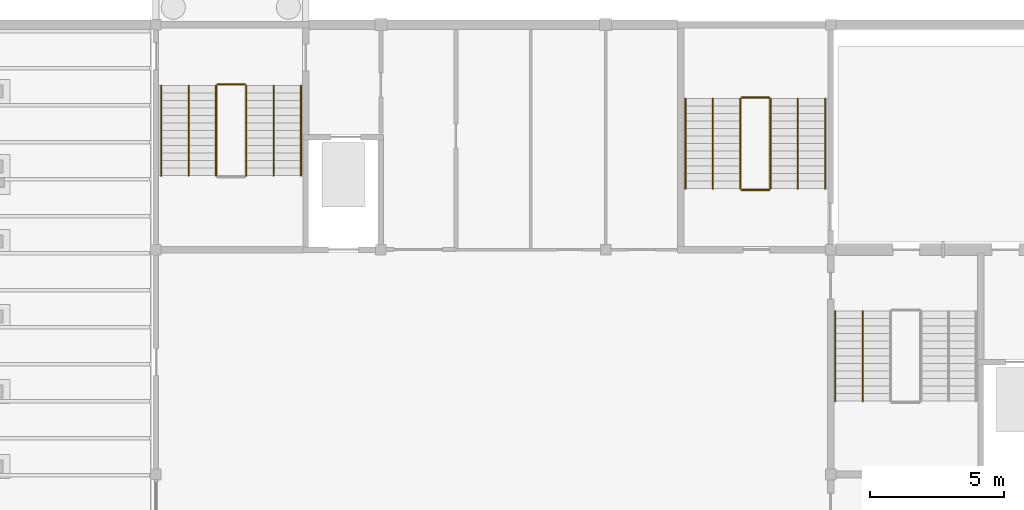
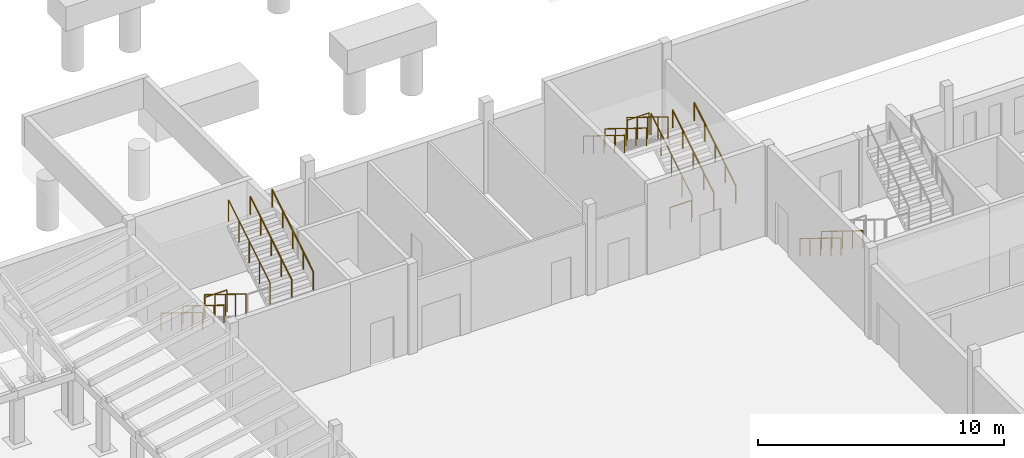
# One storey, part 57 of 60: 17 railings.
"""IFC4 building model written with IfcOpenShell, lengths in metres."""

from ifc_helpers import new_model, si_unit, direction, frame, origin, origin_2d, place, context, subcontext, project, spatial, circle, extrude, material, type_object, element, save


model = new_model("IFC4")

# Units and contexts
model_context = context("Model", 3, precision=1e-05, world=origin(), true_north=direction((0.0, 1.0)))
body_context = subcontext(model_context, "Body", "Model", "MODEL_VIEW")
ifc_project = project(units=[si_unit("LENGTHUNIT", "METRE"), si_unit("AREAUNIT", "SQUARE_METRE"), si_unit("VOLUMEUNIT", "CUBIC_METRE"), si_unit("PLANEANGLEUNIT", "RADIAN"), si_unit("MASSUNIT", "GRAM", prefix="KILO")], contexts=[model_context])

# Site, building, storey
site_placement = place(None, origin())
site = spatial("IfcSite", under=ifc_project, at=site_placement, CompositionType="ELEMENT")
building_placement = place(site_placement, origin())
building = spatial("IfcBuilding", under=site, at=building_placement, Name="Fescue Hill Polytechnic", CompositionType="ELEMENT")
storey_placement = place(building_placement, frame((0.0, 0.0, 4.5)))
storey = spatial("IfcBuildingStorey", under=building, at=storey_placement, Name="L01", CompositionType="ELEMENT", Elevation=4.5)

# Railings
ifc_material = material(Name="Steel 350W (350 MPa)", Category="steel")
railing_type_1 = type_object("IfcRailingType", Name="Stair guard steel 1100", PredefinedType="GUARDRAIL", material=ifc_material)
railing_1_placement = place(storey_placement, frame((94.64990234375, 106.925048828125, 0.173095703125)))
element("IfcRailing", 1, at=railing_1_placement, inside=storey, type_object=railing_type_1, Name="L01 ST-V6-1 stair guard 1", PredefinedType="GUARDRAIL", context=body_context, shape_type="SweptSolid", body=[
    extrude(circle(Radius=0.02392578125, at=origin_2d()), frame((0.0, 0.0, 1.076171875), z_axis=(0.0, -0.850623216509, 0.525775754039), x_axis=(1.0, 0.0, 0.0)), (0.0, 0.0, 1.0), 3.9501953125),
    extrude(circle(Radius=0.02099609375, at=origin_2d()), origin(), (0.0, 0.0, 1.0), 1.052001953125),
    extrude(circle(Radius=0.02099609375, at=origin_2d()), frame((0.0, -0.840087890625, 0.519287109375)), (0.0, 0.0, 1.0), 1.052001953125),
    extrude(circle(Radius=0.02099609375, at=origin_2d()), frame((0.0, -1.68017578125, 1.03857421875)), (0.0, 0.0, 1.0), 1.052001953125),
    extrude(circle(Radius=0.02099609375, at=origin_2d()), frame((0.0, -2.52001953125, 1.5576171875)), (0.0, 0.0, 1.0), 1.052001953125),
    extrude(circle(Radius=0.02099609375, at=origin_2d()), frame((0.0, -3.360107421875, 2.076904296875)), (0.0, 0.0, 1.0), 1.052001953125),
])
railing_2_placement = place(storey_placement, frame((95.77490234375, 103.56494140625, 2.423095703125)))
element("IfcRailing", 2, at=railing_2_placement, inside=storey, type_object=railing_type_1, Name="L01 ST-V6-1 stair guard 3", PredefinedType="GUARDRAIL", context=body_context, shape_type="SweptSolid", body=[
    extrude(circle(Radius=0.02392578125, at=origin_2d()), frame((0.0, 0.0, 1.076171875), z_axis=(0.0, 0.850623216509, 0.525775754039), x_axis=(-1.0, 0.0, 0.0)), (0.0, 0.0, 1.0), 3.9501953125),
    extrude(circle(Radius=0.02099609375, at=origin_2d()), origin(), (0.0, 0.0, 1.0), 1.052001953125),
    extrude(circle(Radius=0.02099609375, at=origin_2d()), frame((0.0, 0.840087890625, 0.519287109375)), (0.0, 0.0, 1.0), 1.052001953125),
    extrude(circle(Radius=0.02099609375, at=origin_2d()), frame((0.0, 1.68017578125, 1.03857421875)), (0.0, 0.0, 1.0), 1.052001953125),
    extrude(circle(Radius=0.02099609375, at=origin_2d()), frame((0.0, 2.52001953125, 1.5576171875)), (0.0, 0.0, 1.0), 1.052001953125),
    extrude(circle(Radius=0.02099609375, at=origin_2d()), frame((0.0, 3.360107421875, 2.076904296875)), (0.0, 0.0, 1.0), 1.052001953125),
])
railing_3_placement = place(storey_placement, frame((94.699951171875, 106.97509765625, 0.0)))
element("IfcRailing", 3, at=railing_3_placement, inside=storey, type_object=railing_type_1, Name="L01 ST-V6-1 stair guard 4", PredefinedType="GUARDRAIL", context=body_context, shape_type="SweptSolid", body=[
    extrude(circle(Radius=0.02392578125, at=origin_2d()), frame((0.0, 0.0, 1.076171875), z_axis=(1.0, 0.0, 0.0), x_axis=(0.0, 1.0, 0.0)), (0.0, 0.0, 1.0), 1.025146484375),
    extrude(circle(Radius=0.02099609375, at=origin_2d()), origin(), (0.0, 0.0, 1.0), 1.052001953125),
    extrude(circle(Radius=0.02099609375, at=origin_2d()), frame((1.025146484375, 0.0, 0.0)), (0.0, 0.0, 1.0), 1.052001953125),
])
railing_4_placement = place(storey_placement, frame((115.35009765625, 103.074951171875, 0.173095703125)))
element("IfcRailing", 4, at=railing_4_placement, inside=storey, type_object=railing_type_1, Name="L01 ST-V6-2 stair guard 1", PredefinedType="GUARDRAIL", context=body_context, shape_type="SweptSolid", body=[
    extrude(circle(Radius=0.02392578125, at=origin_2d()), frame((0.0, 0.0, 1.076171875), z_axis=(0.0, 0.850623216509, 0.525775754039), x_axis=(-1.0, 0.0, 0.0)), (0.0, 0.0, 1.0), 3.9501953125),
    extrude(circle(Radius=0.02099609375, at=origin_2d()), origin(), (0.0, 0.0, 1.0), 1.052001953125),
    extrude(circle(Radius=0.02099609375, at=origin_2d()), frame((0.0, 0.840087890625, 0.519287109375)), (0.0, 0.0, 1.0), 1.052001953125),
    extrude(circle(Radius=0.02099609375, at=origin_2d()), frame((0.0, 1.68017578125, 1.03857421875)), (0.0, 0.0, 1.0), 1.052001953125),
    extrude(circle(Radius=0.02099609375, at=origin_2d()), frame((0.0, 2.52001953125, 1.5576171875)), (0.0, 0.0, 1.0), 1.052001953125),
    extrude(circle(Radius=0.02099609375, at=origin_2d()), frame((0.0, 3.360107421875, 2.076904296875)), (0.0, 0.0, 1.0), 1.052001953125),
])
railing_5_placement = place(storey_placement, frame((115.300048828125, 106.485107421875, 2.25)))
element("IfcRailing", 5, at=railing_5_placement, inside=storey, type_object=railing_type_1, Name="L01 ST-V6-2 stair guard 2", PredefinedType="GUARDRAIL", context=body_context, shape_type="SweptSolid", body=[
    extrude(circle(Radius=0.02392578125, at=origin_2d()), frame((0.0, 0.0, 1.076171875), z_axis=(-1.0, 0.0, 0.0), x_axis=(0.0, -1.0, 0.0)), (0.0, 0.0, 1.0), 1.025146484375),
    extrude(circle(Radius=0.02099609375, at=origin_2d()), origin(), (0.0, 0.0, 1.0), 1.052001953125),
    extrude(circle(Radius=0.02099609375, at=origin_2d()), frame((-1.025146484375, 0.0, 0.0)), (0.0, 0.0, 1.0), 1.052001953125),
])
railing_6_placement = place(storey_placement, frame((114.22509765625, 106.43505859375, 2.423095703125)))
element("IfcRailing", 6, at=railing_6_placement, inside=storey, type_object=railing_type_1, Name="L01 ST-V6-2 stair guard 3", PredefinedType="GUARDRAIL", context=body_context, shape_type="SweptSolid", body=[
    extrude(circle(Radius=0.02392578125, at=origin_2d()), frame((0.0, 0.0, 1.076171875), z_axis=(0.0, -0.850623216509, 0.525775754039), x_axis=(1.0, 0.0, 0.0)), (0.0, 0.0, 1.0), 3.9501953125),
    extrude(circle(Radius=0.02099609375, at=origin_2d()), origin(), (0.0, 0.0, 1.0), 1.052001953125),
    extrude(circle(Radius=0.02099609375, at=origin_2d()), frame((0.0, -0.840087890625, 0.519287109375)), (0.0, 0.0, 1.0), 1.052001953125),
    extrude(circle(Radius=0.02099609375, at=origin_2d()), frame((0.0, -1.68017578125, 1.03857421875)), (0.0, 0.0, 1.0), 1.052001953125),
    extrude(circle(Radius=0.02099609375, at=origin_2d()), frame((0.0, -2.52001953125, 1.5576171875)), (0.0, 0.0, 1.0), 1.052001953125),
    extrude(circle(Radius=0.02099609375, at=origin_2d()), frame((0.0, -3.360107421875, 2.076904296875)), (0.0, 0.0, 1.0), 1.052001953125),
])
railing_7_placement = place(storey_placement, frame((115.300048828125, 103.02490234375, 0.0)))
element("IfcRailing", 7, at=railing_7_placement, inside=storey, type_object=railing_type_1, Name="L01 ST-V6-2 stair guard 4", PredefinedType="GUARDRAIL", context=body_context, shape_type="SweptSolid", body=[
    extrude(circle(Radius=0.02392578125, at=origin_2d()), frame((0.0, 0.0, 1.076171875), z_axis=(-1.0, 0.0, 0.0), x_axis=(0.0, -1.0, 0.0)), (0.0, 0.0, 1.0), 1.025146484375),
    extrude(circle(Radius=0.02099609375, at=origin_2d()), origin(), (0.0, 0.0, 1.0), 1.052001953125),
    extrude(circle(Radius=0.02099609375, at=origin_2d()), frame((-1.025146484375, 0.0, 0.0)), (0.0, 0.0, 1.0), 1.052001953125),
])
railing_type_2 = type_object("IfcRailingType", Name="Stair handrail steel 900", PredefinedType="HANDRAIL", material=ifc_material)
for number, where, name in (
    (8, (117.77490234375, 98.5, 0.173095703125), "L01 ST-V2-1 stair handrail 1"),
    (9, (118.800048828125, 98.5, 0.173095703125), "L01 ST-V2-1 stair handrail 3"),
    (10, (92.60009765625, 106.925048828125, 0.173095703125), "L01 ST-V6-1 stair handrail 1"),
):
    element("IfcRailing", number, at=place(storey_placement, frame(where)), inside=storey, type_object=railing_type_2, Name=name, PredefinedType="HANDRAIL", context=body_context, shape_type="SweptSolid", body=[
        extrude(circle(Radius=0.02392578125, at=origin_2d()), frame((0.0, 0.0, 0.8759765625), z_axis=(0.0, -0.850623216509, 0.525775754039), x_axis=(1.0, 0.0, 0.0)), (0.0, 0.0, 1.0), 3.9501953125),
        extrude(circle(Radius=0.02099609375, at=origin_2d()), origin(), (0.0, 0.0, 1.0), 0.851806640625),
        extrude(circle(Radius=0.02099609375, at=origin_2d()), frame((0.0, -0.840087890625, 0.519287109375)), (0.0, 0.0, 1.0), 0.851806640625),
        extrude(circle(Radius=0.02099609375, at=origin_2d()), frame((0.0, -1.68017578125, 1.03857421875)), (0.0, 0.0, 1.0), 0.851806640625),
        extrude(circle(Radius=0.02099609375, at=origin_2d()), frame((0.0, -2.52001953125, 1.5576171875)), (0.0, 0.0, 1.0), 0.851806640625),
        extrude(circle(Radius=0.02099609375, at=origin_2d()), frame((0.0, -3.360107421875, 2.076904296875)), (0.0, 0.0, 1.0), 0.851806640625),
    ])
railing_8_placement = place(storey_placement, frame((97.824951171875, 103.56494140625, 2.423095703125)))
element("IfcRailing", 11, at=railing_8_placement, inside=storey, type_object=railing_type_2, Name="L01 ST-V6-1 stair handrail 2", PredefinedType="HANDRAIL", context=body_context, shape_type="SweptSolid", body=[
    extrude(circle(Radius=0.02392578125, at=origin_2d()), frame((0.0, 0.0, 0.8759765625), z_axis=(0.0, 0.850623216509, 0.525775754039), x_axis=(-1.0, 0.0, 0.0)), (0.0, 0.0, 1.0), 3.9501953125),
    extrude(circle(Radius=0.02099609375, at=origin_2d()), origin(), (0.0, 0.0, 1.0), 0.851806640625),
    extrude(circle(Radius=0.02099609375, at=origin_2d()), frame((0.0, 0.840087890625, 0.519287109375)), (0.0, 0.0, 1.0), 0.851806640625),
    extrude(circle(Radius=0.02099609375, at=origin_2d()), frame((0.0, 1.68017578125, 1.03857421875)), (0.0, 0.0, 1.0), 0.851806640625),
    extrude(circle(Radius=0.02099609375, at=origin_2d()), frame((0.0, 2.52001953125, 1.5576171875)), (0.0, 0.0, 1.0), 0.851806640625),
    extrude(circle(Radius=0.02099609375, at=origin_2d()), frame((0.0, 3.360107421875, 2.076904296875)), (0.0, 0.0, 1.0), 0.851806640625),
])
railing_9_placement = place(storey_placement, frame((93.625, 106.925048828125, 0.173095703125)))
element("IfcRailing", 12, at=railing_9_placement, inside=storey, type_object=railing_type_2, Name="L01 ST-V6-1 stair handrail 3", PredefinedType="HANDRAIL", context=body_context, shape_type="SweptSolid", body=[
    extrude(circle(Radius=0.02392578125, at=origin_2d()), frame((0.0, 0.0, 0.8759765625), z_axis=(0.0, -0.850623216509, 0.525775754039), x_axis=(1.0, 0.0, 0.0)), (0.0, 0.0, 1.0), 3.9501953125),
    extrude(circle(Radius=0.02099609375, at=origin_2d()), origin(), (0.0, 0.0, 1.0), 0.851806640625),
    extrude(circle(Radius=0.02099609375, at=origin_2d()), frame((0.0, -0.840087890625, 0.519287109375)), (0.0, 0.0, 1.0), 0.851806640625),
    extrude(circle(Radius=0.02099609375, at=origin_2d()), frame((0.0, -1.68017578125, 1.03857421875)), (0.0, 0.0, 1.0), 0.851806640625),
    extrude(circle(Radius=0.02099609375, at=origin_2d()), frame((0.0, -2.52001953125, 1.5576171875)), (0.0, 0.0, 1.0), 0.851806640625),
    extrude(circle(Radius=0.02099609375, at=origin_2d()), frame((0.0, -3.360107421875, 2.076904296875)), (0.0, 0.0, 1.0), 0.851806640625),
])
for number, where, name in (
    (13, (96.800048828125, 103.56494140625, 2.423095703125), "L01 ST-V6-1 stair handrail 4"),
    (14, (117.39990234375, 103.074951171875, 0.173095703125), "L01 ST-V6-2 stair handrail 1"),
):
    element("IfcRailing", number, at=place(storey_placement, frame(where)), inside=storey, type_object=railing_type_2, Name=name, PredefinedType="HANDRAIL", context=body_context, shape_type="SweptSolid", body=[
        extrude(circle(Radius=0.02392578125, at=origin_2d()), frame((0.0, 0.0, 0.8759765625), z_axis=(0.0, 0.850623216509, 0.525775754039), x_axis=(-1.0, 0.0, 0.0)), (0.0, 0.0, 1.0), 3.9501953125),
        extrude(circle(Radius=0.02099609375, at=origin_2d()), origin(), (0.0, 0.0, 1.0), 0.851806640625),
        extrude(circle(Radius=0.02099609375, at=origin_2d()), frame((0.0, 0.840087890625, 0.519287109375)), (0.0, 0.0, 1.0), 0.851806640625),
        extrude(circle(Radius=0.02099609375, at=origin_2d()), frame((0.0, 1.68017578125, 1.03857421875)), (0.0, 0.0, 1.0), 0.851806640625),
        extrude(circle(Radius=0.02099609375, at=origin_2d()), frame((0.0, 2.52001953125, 1.5576171875)), (0.0, 0.0, 1.0), 0.851806640625),
        extrude(circle(Radius=0.02099609375, at=origin_2d()), frame((0.0, 3.360107421875, 2.076904296875)), (0.0, 0.0, 1.0), 0.851806640625),
    ])
railing_10_placement = place(storey_placement, frame((112.175048828125, 106.43505859375, 2.423095703125)))
element("IfcRailing", 15, at=railing_10_placement, inside=storey, type_object=railing_type_2, Name="L01 ST-V6-2 stair handrail 2", PredefinedType="HANDRAIL", context=body_context, shape_type="SweptSolid", body=[
    extrude(circle(Radius=0.02392578125, at=origin_2d()), frame((0.0, 0.0, 0.8759765625), z_axis=(0.0, -0.850623216509, 0.525775754039), x_axis=(1.0, 0.0, 0.0)), (0.0, 0.0, 1.0), 3.9501953125),
    extrude(circle(Radius=0.02099609375, at=origin_2d()), origin(), (0.0, 0.0, 1.0), 0.851806640625),
    extrude(circle(Radius=0.02099609375, at=origin_2d()), frame((0.0, -0.840087890625, 0.519287109375)), (0.0, 0.0, 1.0), 0.851806640625),
    extrude(circle(Radius=0.02099609375, at=origin_2d()), frame((0.0, -1.68017578125, 1.03857421875)), (0.0, 0.0, 1.0), 0.851806640625),
    extrude(circle(Radius=0.02099609375, at=origin_2d()), frame((0.0, -2.52001953125, 1.5576171875)), (0.0, 0.0, 1.0), 0.851806640625),
    extrude(circle(Radius=0.02099609375, at=origin_2d()), frame((0.0, -3.360107421875, 2.076904296875)), (0.0, 0.0, 1.0), 0.851806640625),
])
railing_11_placement = place(storey_placement, frame((116.375, 103.074951171875, 0.173095703125)))
element("IfcRailing", 16, at=railing_11_placement, inside=storey, type_object=railing_type_2, Name="L01 ST-V6-2 stair handrail 3", PredefinedType="HANDRAIL", context=body_context, shape_type="SweptSolid", body=[
    extrude(circle(Radius=0.02392578125, at=origin_2d()), frame((0.0, 0.0, 0.8759765625), z_axis=(0.0, 0.850623216509, 0.525775754039), x_axis=(-1.0, 0.0, 0.0)), (0.0, 0.0, 1.0), 3.9501953125),
    extrude(circle(Radius=0.02099609375, at=origin_2d()), origin(), (0.0, 0.0, 1.0), 0.851806640625),
    extrude(circle(Radius=0.02099609375, at=origin_2d()), frame((0.0, 0.840087890625, 0.519287109375)), (0.0, 0.0, 1.0), 0.851806640625),
    extrude(circle(Radius=0.02099609375, at=origin_2d()), frame((0.0, 1.68017578125, 1.03857421875)), (0.0, 0.0, 1.0), 0.851806640625),
    extrude(circle(Radius=0.02099609375, at=origin_2d()), frame((0.0, 2.52001953125, 1.5576171875)), (0.0, 0.0, 1.0), 0.851806640625),
    extrude(circle(Radius=0.02099609375, at=origin_2d()), frame((0.0, 3.360107421875, 2.076904296875)), (0.0, 0.0, 1.0), 0.851806640625),
])
railing_12_placement = place(storey_placement, frame((113.199951171875, 106.43505859375, 2.423095703125)))
element("IfcRailing", 17, at=railing_12_placement, inside=storey, type_object=railing_type_2, Name="L01 ST-V6-2 stair handrail 4", PredefinedType="HANDRAIL", context=body_context, shape_type="SweptSolid", body=[
    extrude(circle(Radius=0.02392578125, at=origin_2d()), frame((0.0, 0.0, 0.8759765625), z_axis=(0.0, -0.850623216509, 0.525775754039), x_axis=(1.0, 0.0, 0.0)), (0.0, 0.0, 1.0), 3.9501953125),
    extrude(circle(Radius=0.02099609375, at=origin_2d()), origin(), (0.0, 0.0, 1.0), 0.851806640625),
    extrude(circle(Radius=0.02099609375, at=origin_2d()), frame((0.0, -0.840087890625, 0.519287109375)), (0.0, 0.0, 1.0), 0.851806640625),
    extrude(circle(Radius=0.02099609375, at=origin_2d()), frame((0.0, -1.68017578125, 1.03857421875)), (0.0, 0.0, 1.0), 0.851806640625),
    extrude(circle(Radius=0.02099609375, at=origin_2d()), frame((0.0, -2.52001953125, 1.5576171875)), (0.0, 0.0, 1.0), 0.851806640625),
    extrude(circle(Radius=0.02099609375, at=origin_2d()), frame((0.0, -3.360107421875, 2.076904296875)), (0.0, 0.0, 1.0), 0.851806640625),
])

save(model, "model.ifc")
